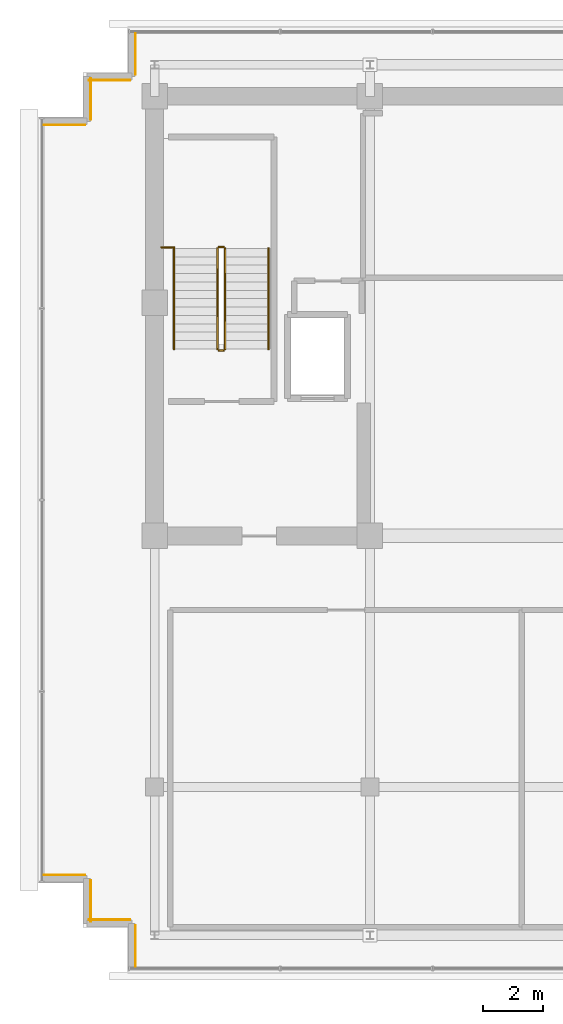
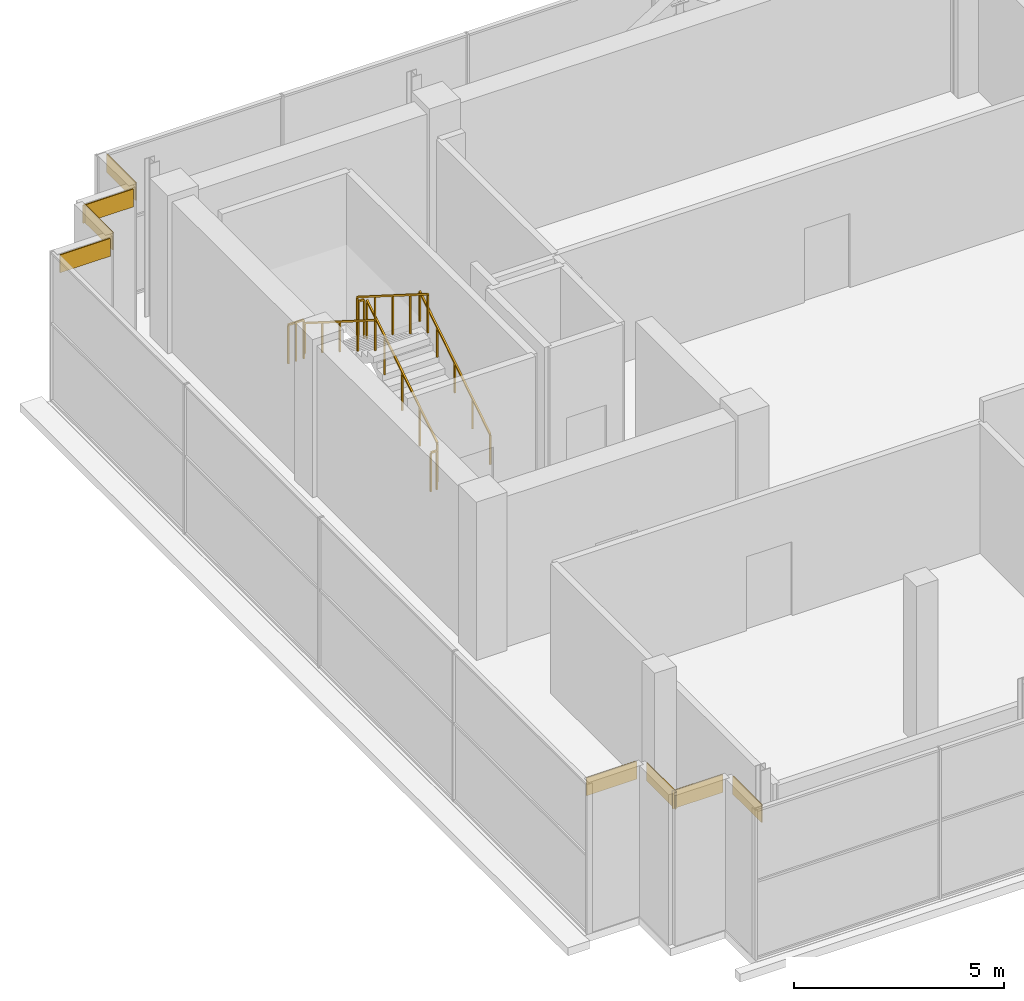
# One storey, part 27 of 28: 8 coverings, 7 railings.
"""IFC4 building model written with IfcOpenShell, lengths in metres."""

import ifcopenshell
import ifcopenshell.guid

model = None  # the IFC model being written
_history = None  # IfcOwnerHistory: only IFC2X3 demands one
_inside = {}  # id of a spatial element -> (the spatial element, [elements in it])
_under = {}  # id of a project, library or spatial element -> (it, [spatial elements below it])
_declared = {}  # id of a project -> (the project, [libraries it declares])
_typed = {}  # id of a type object -> (the type object, [elements of that type])
_made_of = {}  # id of a material, layer set ... -> (it, [elements and type objects made of it])


def new_model(schema):
    """Start an empty IFC model of exactly this schema.

    Asked for "IFC4X3", IfcOpenShell would pick the latest addendum, in which some entities
    have other attributes; the version numbers below select the first issue.
    IFC2X3 requires an IfcOwnerHistory on every rooted entity: one is made here for all.
    """
    global model, _history
    if schema == "IFC4X3":
        model = ifcopenshell.file(schema_version=(4, 3, 0, 0))
    else:
        model = ifcopenshell.file(schema=schema)
    _inside.clear()
    _under.clear()
    _declared.clear()
    _typed.clear()
    _made_of.clear()
    _history = None
    if model.schema == "IFC2X3":
        org = make("IfcOrganization", Name="unknown")
        user = make(
            "IfcPersonAndOrganization",
            ThePerson=make("IfcPerson", FamilyName="unknown"),
            TheOrganization=org,
        )
        app = make(
            "IfcApplication",
            ApplicationDeveloper=org,
            Version="unknown",
            ApplicationFullName="unknown",
            ApplicationIdentifier="unknown",
        )
        _history = make(
            "IfcOwnerHistory",
            OwningUser=user,
            OwningApplication=app,
            ChangeAction="ADDED",
            CreationDate=0,
        )
    return model


def make(cls, **values):
    """One entity of the class cls with the attributes given. An attribute that is None is left unset."""
    return model.create_entity(
        cls, **{name: value for name, value in values.items() if value is not None}
    )


def rooted(cls, **values):
    """An entity with a GlobalId (a new one), such as an element, a storey or a relation."""
    return make(cls, GlobalId=ifcopenshell.guid.new(), OwnerHistory=_history, **values)


def si_unit(unit_type, name, prefix=None):
    """IfcSIUnit, for example si_unit("LENGTHUNIT", "METRE", prefix="MILLI")."""
    return make("IfcSIUnit", UnitType=unit_type, Prefix=prefix, Name=name)


def assignment(units):
    """IfcUnitAssignment: the units of a project."""
    return None if units is None else make("IfcUnitAssignment", Units=units)


def point(xyz):
    """IfcCartesianPoint."""
    return None if xyz is None else make("IfcCartesianPoint", Coordinates=xyz)


def direction(xyz):
    """IfcDirection."""
    return None if xyz is None else make("IfcDirection", DirectionRatios=xyz)


def frame(location, z_axis=None, x_axis=None):
    """IfcAxis2Placement3D, a coordinate frame: its origin and axes. An axis left out is left unset."""
    return make(
        "IfcAxis2Placement3D",
        Location=point(location),
        Axis=direction(z_axis),
        RefDirection=direction(x_axis),
    )


def frame_2d(location, x_axis=None):
    """IfcAxis2Placement2D, a coordinate frame in the plane: its origin and x axis."""
    return make(
        "IfcAxis2Placement2D", Location=point(location), RefDirection=direction(x_axis)
    )


def origin():
    """The frame at (0, 0, 0) with its axes left unset."""
    return frame((0.0, 0.0, 0.0))


def origin_2d():
    """The frame at (0, 0) in the plane with its x axis left unset."""
    return frame_2d((0.0, 0.0))


def place(relative_to, where):
    """IfcLocalPlacement: puts the frame where relative to a parent placement (None: the world)."""
    return make(
        "IfcLocalPlacement", PlacementRelTo=relative_to, RelativePlacement=where
    )


def context(
    kind, dimensions, precision=None, world=None, true_north=None, identifier=None
):
    """IfcGeometricRepresentationContext, for example the 3D "Model" context."""
    return make(
        "IfcGeometricRepresentationContext",
        ContextIdentifier=identifier,
        ContextType=kind,
        CoordinateSpaceDimension=dimensions,
        Precision=precision,
        WorldCoordinateSystem=world,
        TrueNorth=true_north,
    )


def subcontext(parent, identifier, kind, view, scale=None):
    """IfcGeometricRepresentationSubContext, for example "Body" below "Model"."""
    return make(
        "IfcGeometricRepresentationSubContext",
        ContextIdentifier=identifier,
        ContextType=kind,
        ParentContext=parent,
        TargetScale=scale,
        TargetView=view,
    )


def project(units=None, contexts=None):
    """IfcProject with its units and contexts."""
    return rooted(
        "IfcProject",
        Name="project",
        RepresentationContexts=contexts,
        UnitsInContext=assignment(units),
    )


def spatial(cls, under=None, at=None, **own):
    """A site, building, storey or space (cls), placed at a placement, below another one or the project."""
    s = rooted(cls, ObjectPlacement=at, **own)
    if under is not None:
        _under.setdefault(under.id(), (under, []))[1].append(s)
    return s


def profile(cls, at=None, kind="AREA", **sizes):
    """A parametric profile (cls). Its sizes go by their IFC names, for example OverallWidth=200.0."""
    return make(cls, ProfileType=kind, Position=at, **sizes)


def rectangle(**sizes):
    """IfcRectangleProfileDef."""
    return profile("IfcRectangleProfileDef", **sizes)


def extrude(swept, where, along, depth):
    """IfcExtrudedAreaSolid: the profile swept, set in the frame where, extruded along a direction by depth."""
    return make(
        "IfcExtrudedAreaSolid",
        SweptArea=swept,
        Position=where,
        ExtrudedDirection=direction(along),
        Depth=depth,
    )


def shape(context_of_items, identifier, shape_type, items):
    """IfcShapeRepresentation: the items that make up one representation, for example the "Body"."""
    return make(
        "IfcShapeRepresentation",
        ContextOfItems=context_of_items,
        RepresentationIdentifier=identifier,
        RepresentationType=shape_type,
        Items=items,
    )


def source(mapping_origin, context_of_items, identifier, shape_type, items):
    """IfcRepresentationMap: a shape defined once, which mapped items show again and again."""
    return make(
        "IfcRepresentationMap",
        MappingOrigin=mapping_origin,
        MappedRepresentation=shape(context_of_items, identifier, shape_type, items),
    )


def transform(
    local_origin,
    x_axis=None,
    y_axis=None,
    z_axis=None,
    scale=None,
    scale2=None,
    scale3=None,
    uniform=True,
):
    """IfcCartesianTransformationOperator3D, or its non-uniform kind. x_axis, y_axis, z_axis: its Axis1, 2, 3."""
    if uniform:
        return make(
            "IfcCartesianTransformationOperator3D",
            Axis1=direction(x_axis),
            Axis2=direction(y_axis),
            LocalOrigin=point(local_origin),
            Scale=scale,
            Axis3=direction(z_axis),
        )
    return make(
        "IfcCartesianTransformationOperator3DnonUniform",
        Axis1=direction(x_axis),
        Axis2=direction(y_axis),
        LocalOrigin=point(local_origin),
        Scale=scale,
        Axis3=direction(z_axis),
        Scale2=scale2,
        Scale3=scale3,
    )


def mapped(mapping_source, mapping_target):
    """IfcMappedItem: shows the shape of a source again, moved by a transform."""
    return make(
        "IfcMappedItem", MappingSource=mapping_source, MappingTarget=mapping_target
    )


def material(Name=None, Category=None):
    """IfcMaterial."""
    return make("IfcMaterial", Name=Name, Category=Category)


def layer(
    of_material, thickness, ventilated=None, Name=None, Category=None, Priority=None
):
    """IfcMaterialLayer: one layer of a wall or slab, of a material (None: an air gap)."""
    return make(
        "IfcMaterialLayer",
        Material=of_material,
        LayerThickness=thickness,
        IsVentilated=ventilated,
        Name=Name,
        Category=Category,
        Priority=Priority,
    )


def layer_set(layers, Name=None):
    """IfcMaterialLayerSet."""
    return make("IfcMaterialLayerSet", MaterialLayers=layers, LayerSetName=Name)


def made_of(thing, what):
    """Note that an element or type object is made of a material, layer set ...; save() writes the relation."""
    if what is not None:
        _made_of.setdefault(what.id(), (what, []))[1].append(thing)
    return thing


def type_object(cls, material=None, **own):
    """A type object (cls), such as IfcWallType, which elements share."""
    return made_of(rooted(cls, **own), material)


def element(
    cls,
    number,
    at=None,
    inside=None,
    cuts=None,
    type_object=None,
    material=None,
    context=None,
    identifier="Body",
    shape_type=None,
    held_by="IfcProductDefinitionShape",
    body=None,
    shapes=None,
    **own,
):
    """One element of the class cls, such as IfcWall. Its Tag is "e" and its number.

    at: its placement. inside: the storey or other place that contains it. cuts: it is an
    opening in that element (IfcRelVoidsElement). A single representation is given by context,
    identifier, shape_type and body (its items); several are given by shapes. held_by: the class
    of the entity that holds the representations. save() writes the other relations.
    """
    e = rooted(cls, Tag="e%d" % number, ObjectPlacement=at, **own)
    if body is not None:
        shapes = [shape(context, identifier, shape_type, body)]
    if shapes is not None:
        e.Representation = make(held_by, Representations=shapes)
    if inside is not None:
        _inside.setdefault(inside.id(), (inside, []))[1].append(e)
    if cuts is not None:
        rooted(
            "IfcRelVoidsElement", RelatingBuildingElement=cuts, RelatedOpeningElement=e
        )
    if type_object is not None:
        _typed.setdefault(type_object.id(), (type_object, []))[1].append(e)
    return made_of(e, material)


def aggregate(whole, parts):
    """IfcRelAggregates: a whole, such as a stair, and the parts it consists of."""
    return rooted("IfcRelAggregates", RelatingObject=whole, RelatedObjects=parts)


def save(model, path):
    """Write the relations noted so far, then the file.

    IfcRelAggregates (storeys below a building ...), IfcRelContainedInSpatialStructure (elements
    in a storey), IfcRelDefinesByType, IfcRelAssociatesMaterial and IfcRelDeclares: one each for
    every whole, place, type object, material and project.
    """
    for whole, parts in _under.values():
        aggregate(whole, parts)
    for where, things in _inside.values():
        rooted(
            "IfcRelContainedInSpatialStructure",
            RelatedElements=things,
            RelatingStructure=where,
        )
    for kind, things in _typed.values():
        rooted("IfcRelDefinesByType", RelatedObjects=things, RelatingType=kind)
    for what, things in _made_of.values():
        rooted("IfcRelAssociatesMaterial", RelatedObjects=things, RelatingMaterial=what)
    for by, libraries in _declared.values():
        rooted("IfcRelDeclares", RelatingContext=by, RelatedDefinitions=libraries)
    model.write(path)


model = new_model("IFC4")

# Units and contexts
model_context = context("Model", 3, precision=1e-05, world=origin(), true_north=direction((0.0, 1.0)))
body_context = subcontext(model_context, "Body", "Model", "MODEL_VIEW")
ifc_project = project(units=[si_unit("LENGTHUNIT", "METRE"), si_unit("AREAUNIT", "SQUARE_METRE"), si_unit("VOLUMEUNIT", "CUBIC_METRE"), si_unit("PLANEANGLEUNIT", "RADIAN"), si_unit("MASSUNIT", "GRAM", prefix="KILO")], contexts=[model_context])

# Site, building, storey
site_placement = place(None, origin())
site = spatial("IfcSite", under=ifc_project, at=site_placement, CompositionType="ELEMENT")
building_placement = place(site_placement, origin())
building = spatial("IfcBuilding", under=site, at=building_placement, Name="Zarnakvel Exchange Tower", CompositionType="ELEMENT")
storey_placement = place(building_placement, frame((0.0, 0.0, 290.0)))
storey = spatial("IfcBuildingStorey", under=building, at=storey_placement, Name="Crown L81", CompositionType="ELEMENT", Elevation=290.0)

# Railings
ifc_material_1 = material(Name="Brushed Stainless Steel", Category="steel")
railing_type_1 = type_object("IfcRailingType", Name="HR-01", PredefinedType="HANDRAIL", material=ifc_material_1)
railing_1_placement = place(storey_placement, frame((-10.590087890625, 5.050048828125, 0.177001953125)))
element("IfcRailing", 1, at=railing_1_placement, inside=storey, type_object=railing_type_1, Name="Crown L81 ST-01 stair handrail 1", PredefinedType="HANDRAIL", context=body_context, shape_type="SweptSolid", body=[
    extrude(rectangle(XDim=0.048095703125, YDim=0.048095703125, at=origin_2d()), frame((0.0, 0.0, 0.8759765625), z_axis=(0.0, 0.845372108799, 0.534177870812), x_axis=(-1.0, 0.0, 0.0)), (0.0, 0.0, 1.0), 3.974365234375),
    extrude(rectangle(XDim=0.0419921875, YDim=0.0419921875, at=origin_2d()), origin(), (0.0, 0.0, 1.0), 0.851806640625),
    extrude(rectangle(XDim=0.0419921875, YDim=0.0419921875, at=origin_2d()), frame((0.0, 0.83984375, 0.53076171875)), (0.0, 0.0, 1.0), 0.851806640625),
    extrude(rectangle(XDim=0.0419921875, YDim=0.0419921875, at=origin_2d()), frame((0.0, 1.679931640625, 1.0615234375)), (0.0, 0.0, 1.0), 0.851806640625),
    extrude(rectangle(XDim=0.0419921875, YDim=0.0419921875, at=origin_2d()), frame((0.0, 2.52001953125, 1.59228515625)), (0.0, 0.0, 1.0), 0.851806640625),
    extrude(rectangle(XDim=0.0419921875, YDim=0.0419921875, at=origin_2d()), frame((0.0, 3.35986328125, 2.123046875)), (0.0, 0.0, 1.0), 0.851806640625),
])
railing_2_placement = place(storey_placement, frame((-13.75, 8.409912109375, 2.476806640625)))
element("IfcRailing", 2, at=railing_2_placement, inside=storey, type_object=railing_type_1, Name="Crown L81 ST-01 stair handrail 2", PredefinedType="HANDRAIL", context=body_context, shape_type="SweptSolid", body=[
    extrude(rectangle(XDim=0.048095703125, YDim=0.048095703125, at=origin_2d()), frame((0.0, 0.0, 0.8759765625), z_axis=(0.0, -0.845344368971, 0.534221768416), x_axis=(1.0, 0.0, 0.0)), (0.0, 0.0, 1.0), 3.974609375),
    extrude(rectangle(XDim=0.0419921875, YDim=0.0419921875, at=origin_2d()), origin(), (0.0, 0.0, 1.0), 0.851806640625),
    extrude(rectangle(XDim=0.0419921875, YDim=0.0419921875, at=origin_2d()), frame((0.0, -0.83984375, 0.53076171875)), (0.0, 0.0, 1.0), 0.851806640625),
    extrude(rectangle(XDim=0.0419921875, YDim=0.0419921875, at=origin_2d()), frame((0.0, -1.679931640625, 1.0615234375)), (0.0, 0.0, 1.0), 0.851806640625),
    extrude(rectangle(XDim=0.0419921875, YDim=0.0419921875, at=origin_2d()), frame((0.0, -2.52001953125, 1.592529296875)), (0.0, 0.0, 1.0), 0.851806640625),
    extrude(rectangle(XDim=0.0419921875, YDim=0.0419921875, at=origin_2d()), frame((0.0, -3.35986328125, 2.123291015625)), (0.0, 0.0, 1.0), 0.851806640625),
])
ifc_material_2 = material(Name="Architectural Bronze Anodised Aluminium", Category="aluminium")
railing_type_2 = type_object("IfcRailingType", Name="SG-01", PredefinedType="GUARDRAIL", material=ifc_material_2)
railing_3_placement = place(storey_placement, frame((-12.0400390625, 5.050048828125, 0.177001953125)))
element("IfcRailing", 3, at=railing_3_placement, inside=storey, type_object=railing_type_2, Name="Crown L81 ST-01 stair guard 1", PredefinedType="GUARDRAIL", context=body_context, shape_type="SweptSolid", body=[
    extrude(rectangle(XDim=0.048095703125, YDim=0.048095703125, at=origin_2d()), frame((0.0, 0.0, 1.1259765625), z_axis=(0.0, 0.845372108799, 0.534177870812), x_axis=(-1.0, 0.0, 0.0)), (0.0, 0.0, 1.0), 3.974365234375),
    extrude(rectangle(XDim=0.0419921875, YDim=0.0419921875, at=origin_2d()), origin(), (0.0, 0.0, 1.0), 1.101806640625),
    extrude(rectangle(XDim=0.0419921875, YDim=0.0419921875, at=origin_2d()), frame((0.0, 0.83984375, 0.53076171875)), (0.0, 0.0, 1.0), 1.101806640625),
    extrude(rectangle(XDim=0.0419921875, YDim=0.0419921875, at=origin_2d()), frame((0.0, 1.679931640625, 1.0615234375)), (0.0, 0.0, 1.0), 1.101806640625),
    extrude(rectangle(XDim=0.0419921875, YDim=0.0419921875, at=origin_2d()), frame((0.0, 2.52001953125, 1.59228515625)), (0.0, 0.0, 1.0), 1.101806640625),
    extrude(rectangle(XDim=0.0419921875, YDim=0.0419921875, at=origin_2d()), frame((0.0, 3.35986328125, 2.123046875)), (0.0, 0.0, 1.0), 1.101806640625),
])
railing_4_placement = place(storey_placement, frame((-12.090087890625, 8.4599609375, 2.300048828125)))
element("IfcRailing", 4, at=railing_4_placement, inside=storey, type_object=railing_type_2, Name="Crown L81 ST-01 stair guard 2", PredefinedType="GUARDRAIL", context=body_context, shape_type="SweptSolid", body=[
    extrude(rectangle(XDim=0.048095703125, YDim=0.048095703125, at=origin_2d()), frame((0.0, 0.0, 1.1259765625), z_axis=(-1.0, 0.0, 0.0), x_axis=(0.0, -1.0, 0.0)), (0.0, 0.0, 1.0), 0.159912109375),
    extrude(rectangle(XDim=0.0419921875, YDim=0.0419921875, at=origin_2d()), origin(), (0.0, 0.0, 1.0), 1.101806640625),
    extrude(rectangle(XDim=0.0419921875, YDim=0.0419921875, at=origin_2d()), frame((-0.159912109375, 0.0, 0.0)), (0.0, 0.0, 1.0), 1.101806640625),
])
railing_5_placement = place(storey_placement, frame((-12.300048828125, 8.409912109375, 2.476806640625)))
element("IfcRailing", 5, at=railing_5_placement, inside=storey, type_object=railing_type_2, Name="Crown L81 ST-01 stair guard 3", PredefinedType="GUARDRAIL", context=body_context, shape_type="SweptSolid", body=[
    extrude(rectangle(XDim=0.048095703125, YDim=0.048095703125, at=origin_2d()), frame((0.0, 0.0, 1.1259765625), z_axis=(0.0, -0.845344368971, 0.534221768416), x_axis=(1.0, 0.0, 0.0)), (0.0, 0.0, 1.0), 3.974609375),
    extrude(rectangle(XDim=0.0419921875, YDim=0.0419921875, at=origin_2d()), origin(), (0.0, 0.0, 1.0), 1.101806640625),
    extrude(rectangle(XDim=0.0419921875, YDim=0.0419921875, at=origin_2d()), frame((0.0, -0.83984375, 0.53076171875)), (0.0, 0.0, 1.0), 1.101806640625),
    extrude(rectangle(XDim=0.0419921875, YDim=0.0419921875, at=origin_2d()), frame((0.0, -1.679931640625, 1.0615234375)), (0.0, 0.0, 1.0), 1.101806640625),
    extrude(rectangle(XDim=0.0419921875, YDim=0.0419921875, at=origin_2d()), frame((0.0, -2.52001953125, 1.592529296875)), (0.0, 0.0, 1.0), 1.101806640625),
    extrude(rectangle(XDim=0.0419921875, YDim=0.0419921875, at=origin_2d()), frame((0.0, -3.35986328125, 2.123291015625)), (0.0, 0.0, 1.0), 1.101806640625),
])
railing_6_placement = place(storey_placement, frame((-12.090087890625, 5.0, 0.0)))
element("IfcRailing", 6, at=railing_6_placement, inside=storey, type_object=railing_type_2, Name="Crown L81 ST-01 stair guard 4", PredefinedType="GUARDRAIL", context=body_context, shape_type="SweptSolid", body=[
    extrude(rectangle(XDim=0.048095703125, YDim=0.048095703125, at=origin_2d()), frame((0.0, 0.0, 1.1259765625), z_axis=(-1.0, 0.0, 0.0), x_axis=(0.0, -1.0, 0.0)), (0.0, 0.0, 1.0), 0.159912109375),
    extrude(rectangle(XDim=0.0419921875, YDim=0.0419921875, at=origin_2d()), origin(), (0.0, 0.0, 1.0), 1.101806640625),
    extrude(rectangle(XDim=0.0419921875, YDim=0.0419921875, at=origin_2d()), frame((-0.159912109375, 0.0, 0.0)), (0.0, 0.0, 1.0), 1.101806640625),
])
railing_7_placement = place(storey_placement, frame((-14.179931640625, 8.449951171875, 2.300048828125)))
element("IfcRailing", 7, at=railing_7_placement, inside=storey, type_object=railing_type_2, Name="Crown L81 ST-01 Landing Slot Guardrail", PredefinedType="GUARDRAIL", context=body_context, shape_type="SweptSolid", body=[
    extrude(rectangle(XDim=0.048095703125, YDim=0.048095703125, at=origin_2d()), frame((0.0, 0.0, 1.1259765625), z_axis=(1.0, 0.0, 0.0), x_axis=(0.0, 1.0, 0.0)), (0.0, 0.0, 1.0), 0.429931640625),
    extrude(rectangle(XDim=0.0419921875, YDim=0.0419921875, at=origin_2d()), origin(), (0.0, 0.0, 1.0), 1.101806640625),
    extrude(rectangle(XDim=0.0419921875, YDim=0.0419921875, at=origin_2d()), frame((0.21484375, 0.0, 0.0)), (0.0, 0.0, 1.0), 1.101806640625),
    extrude(rectangle(XDim=0.0419921875, YDim=0.0419921875, at=origin_2d()), frame((0.429931640625, 0.0, 0.0)), (0.0, 0.0, 1.0), 1.101806640625),
])

# Coverings
ifc_material_3 = material(Name="Glazed Turquoise Ceramic Architectural Tile", Category="ceramic")
ifc_layer = layer(ifc_material_3, 0.028076171875)
ifc_layer_set = layer_set([ifc_layer], Name="Glazed Turquoise Ceramic Architectural Tile")
covering_type = type_object("IfcCoveringType", Name="CL-01", PredefinedType="CLADDING", material=ifc_layer_set)
shared_shape = source(origin(), body_context, "Body", "SweptSolid", [
    extrude(rectangle(XDim=1.3798828125, YDim=0.028076171875, at=origin_2d()), origin(), (0.0, 0.0, 1.0), 0.52001953125),
])
for number, where, z_axis, x_axis, name in (
    (8, (-17.409912109375, 12.5380859375, 3.840087890625), (0.0, 0.0, 1.0), (-1.0, 0.0, 0.0), "Crown L81 Ceramic Spandrel Tilework CL-01"),
    (9, (-16.5380859375, 13.409912109375, 3.840087890625), (0.0, 0.0, 1.0), (0.0, -1.0, 0.0), "Crown L81 Ceramic Spandrel Tilework CL-01"),
    (10, (-15.909912109375, 14.0380859375, 3.840087890625), (0.0, 0.0, 1.0), (-1.0, 0.0, 0.0), "Crown L81 Ceramic Spandrel Tilework CL-01"),
    (11, (-15.0380859375, 14.909912109375, 3.840087890625), (0.0, 0.0, 1.0), (0.0, -1.0, 0.0), "Crown L81 Ceramic Spandrel Tilework CL-01"),
    (12, (-15.0380859375, -14.909912109375, 3.840087890625), (0.0, 0.0, 1.0), (0.0, -1.0, 0.0), "Crown L81 Ceramic Spandrel Tilework CL-01"),
    (13, (-15.909912109375, -14.0380859375, 3.840087890625), (0.0, 0.0, 1.0), (1.0, 0.0, 0.0), "Crown L81 Ceramic Spandrel Tilework CL-01"),
    (14, (-16.5380859375, -13.409912109375, 3.840087890625), (0.0, 0.0, 1.0), (0.0, -1.0, 0.0), "Crown L81 Ceramic Spandrel Tilework CL-01"),
    (15, (-17.409912109375, -12.5380859375, 3.840087890625), (0.0, 0.0, 1.0), (1.0, 0.0, 0.0), "Crown L81 Ceramic Spandrel Tilework CL-01"),
):
    element("IfcCovering", number, at=place(storey_placement, frame(where, z_axis=z_axis, x_axis=x_axis)), inside=storey, type_object=covering_type, Name=name, PredefinedType="CLADDING", context=body_context, shape_type="MappedRepresentation", body=[
        mapped(shared_shape, transform((0.0, 0.0, 0.0), x_axis=(1.0, 0.0, 0.0), y_axis=(0.0, 1.0, 0.0), z_axis=(0.0, 0.0, 1.0), scale=1.0)),
    ])

save(model, "model.ifc")
